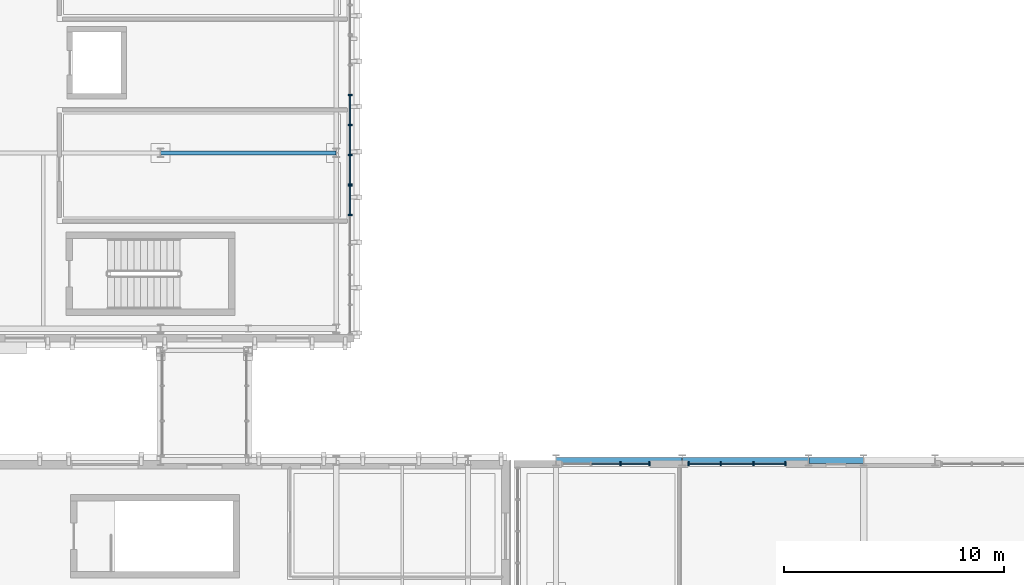
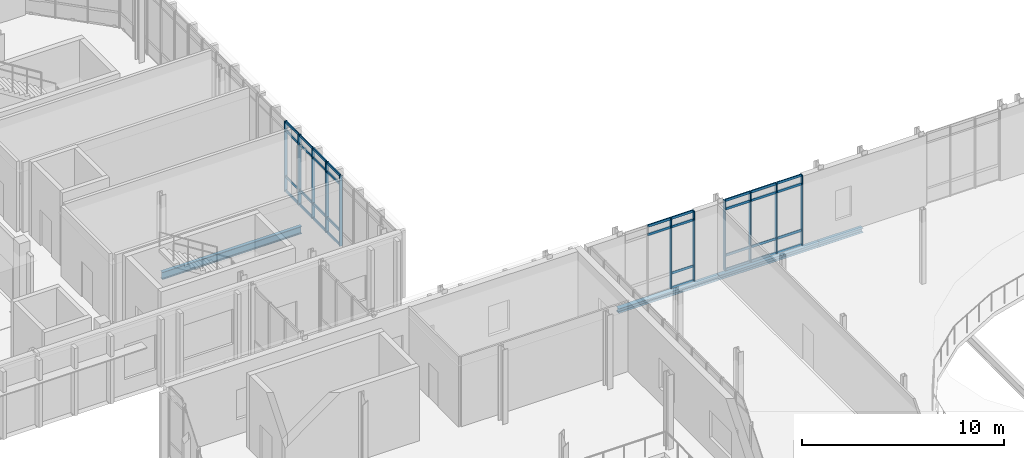
# One storey, part 25 of 100: 46 members, 4 beams, 4 elements without a shape of their own.
"""IFC4 building model written with IfcOpenShell, lengths in metres."""

from ifc_helpers import new_model, si_unit, direction, frame, origin, origin_2d, place, context, subcontext, project, spatial, rectangle, i_section, extrude, material, material_profile, profile_set, type_object, element, aggregate, save


model = new_model("IFC4")

# Units and contexts
model_context = context("Model", 3, precision=1e-05, world=origin(), true_north=direction((0.0, 1.0)))
body_context = subcontext(model_context, "Body", "Model", "MODEL_VIEW")
ifc_project = project(units=[si_unit("LENGTHUNIT", "METRE"), si_unit("AREAUNIT", "SQUARE_METRE"), si_unit("VOLUMEUNIT", "CUBIC_METRE"), si_unit("PLANEANGLEUNIT", "RADIAN"), si_unit("MASSUNIT", "GRAM", prefix="KILO")], contexts=[model_context])

# Site, building, storey
site_placement = place(None, origin())
site = spatial("IfcSite", under=ifc_project, at=site_placement, CompositionType="ELEMENT")
building_placement = place(site_placement, origin())
building = spatial("IfcBuilding", under=site, at=building_placement, Name="Cymarion Research Institute", CompositionType="ELEMENT")
storey_placement = place(building_placement, frame((0.0, 0.0, 9.300048828125)))
storey = spatial("IfcBuildingStorey", under=building, at=storey_placement, Name="L02", CompositionType="ELEMENT", Elevation=9.300048828125)

# Curtain wall, members
ifc_material_1 = material(Name="Anodised aluminium unitised curtain wall with Low-E glazing", Category="aluminium")
curtain_wall_type_1 = type_object("IfcCurtainWallType", Name="UNITISED CURTAIN WALL CW12 4460X4250", PredefinedType="NOTDEFINED", material=ifc_material_1)
curtain_wall_1_placement = place(storey_placement, origin())
curtain_wall_1 = element("IfcCurtainWall", 1, at=curtain_wall_1_placement, inside=storey, type_object=curtain_wall_type_1, Name="L02 V2 unitised curtain wall CW12 #86", PredefinedType="NOTDEFINED")
ifc_material_2 = material(Name="Anodised aluminium framing", Category="aluminium")
ifc_material_profile_1 = material_profile(ifc_material_2, rectangle(XDim=0.06005859375, YDim=0.179931640625, at=origin_2d()), Name="ALU MULLION 60x180")
ifc_profile_set_1 = profile_set([ifc_material_profile_1], Name="Anodised aluminium framing")
member_type_1 = type_object("IfcMemberType", Name="CURTAIN WALL MULLION ML01 60X180", PredefinedType="MULLION", material=ifc_profile_set_1)
member_1_placement = place(storey_placement, frame((67.04443359375, 41.340087890625, 0.0), z_axis=(0.0, 0.0, 1.0), x_axis=(-1.0, 0.0, 0.0)))
member_1 = element("IfcMember", 2, at=member_1_placement, type_object=member_type_1, Name="CW12 mullion 1", PredefinedType="MULLION", context=body_context, shape_type="SweptSolid", body=[
    extrude(rectangle(XDim=0.06005859375, YDim=0.179931640625, at=origin_2d()), origin(), (0.0, 0.0, 1.0), 4.25),
])
member_2_placement = place(storey_placement, frame((65.58642578125, 41.340087890625, 0.0), z_axis=(0.0, 0.0, 1.0), x_axis=(-1.0, 0.0, 0.0)))
member_2 = element("IfcMember", 3, at=member_2_placement, type_object=member_type_1, Name="CW12 mullion 2", PredefinedType="MULLION", context=body_context, shape_type="SweptSolid", body=[
    extrude(rectangle(XDim=0.06005859375, YDim=0.179931640625, at=origin_2d()), origin(), (0.0, 0.0, 1.0), 4.25),
])
member_3_placement = place(storey_placement, frame((64.09814453125, 41.340087890625, 0.0), z_axis=(0.0, 0.0, 1.0), x_axis=(-1.0, 0.0, 0.0)))
member_3 = element("IfcMember", 4, at=member_3_placement, type_object=member_type_1, Name="CW12 mullion 3", PredefinedType="MULLION", context=body_context, shape_type="SweptSolid", body=[
    extrude(rectangle(XDim=0.06005859375, YDim=0.179931640625, at=origin_2d()), origin(), (0.0, 0.0, 1.0), 4.25),
])
member_4_placement = place(storey_placement, frame((62.639892578125, 41.340087890625, 0.0), z_axis=(0.0, 0.0, 1.0), x_axis=(-1.0, 0.0, 0.0)))
member_4 = element("IfcMember", 5, at=member_4_placement, type_object=member_type_1, Name="CW12 mullion 4", PredefinedType="MULLION", context=body_context, shape_type="SweptSolid", body=[
    extrude(rectangle(XDim=0.06005859375, YDim=0.179931640625, at=origin_2d()), origin(), (0.0, 0.0, 1.0), 4.25),
])

curtain_wall_type_2 = type_object("IfcCurtainWallType", Name="UNITISED CURTAIN WALL CW13 4030X4250", PredefinedType="NOTDEFINED", material=ifc_material_1)
curtain_wall_2_placement = place(storey_placement, origin())
curtain_wall_2 = element("IfcCurtainWall", 6, at=curtain_wall_2_placement, inside=storey, type_object=curtain_wall_type_2, Name="L02 V2 unitised curtain wall CW13 #87", PredefinedType="NOTDEFINED")
member_5_placement = place(storey_placement, frame((60.857421875, 41.340087890625, 0.0), z_axis=(0.0, 0.0, 1.0), x_axis=(-1.0, 0.0, 0.0)))
member_5 = element("IfcMember", 7, at=member_5_placement, type_object=member_type_1, Name="CW13 mullion 1", PredefinedType="MULLION", context=body_context, shape_type="SweptSolid", body=[
    extrude(rectangle(XDim=0.06005859375, YDim=0.179931640625, at=origin_2d()), origin(), (0.0, 0.0, 1.0), 4.25),
])
member_6_placement = place(storey_placement, frame((59.544921875, 41.340087890625, 0.0), z_axis=(0.0, 0.0, 1.0), x_axis=(-1.0, 0.0, 0.0)))
member_6 = element("IfcMember", 8, at=member_6_placement, type_object=member_type_1, Name="CW13 mullion 2", PredefinedType="MULLION", context=body_context, shape_type="SweptSolid", body=[
    extrude(rectangle(XDim=0.06005859375, YDim=0.179931640625, at=origin_2d()), origin(), (0.0, 0.0, 1.0), 4.25),
])

curtain_wall_type_3 = type_object("IfcCurtainWallType", Name="UNITISED CURTAIN WALL CW20 6820X4250", PredefinedType="NOTDEFINED", material=ifc_material_1)
curtain_wall_3_placement = place(storey_placement, origin())
curtain_wall_3 = element("IfcCurtainWall", 9, at=curtain_wall_3_placement, inside=storey, type_object=curtain_wall_type_3, Name="L02 V4 unitised curtain wall CW20 #98", PredefinedType="NOTDEFINED")
member_7_placement = place(storey_placement, frame((47.22998046875, 52.677490234375, 0.0), z_axis=(0.0, 0.0, 1.0), x_axis=(0.0, 1.0, 0.0)))
member_7 = element("IfcMember", 10, at=member_7_placement, type_object=member_type_1, Name="CW20 mullion 5", PredefinedType="MULLION", context=body_context, shape_type="SweptSolid", body=[
    extrude(rectangle(XDim=0.06005859375, YDim=0.179931640625, at=origin_2d()), origin(), (0.0, 0.0, 1.0), 4.25),
])
member_8_placement = place(storey_placement, frame((47.22998046875, 54.011474609375, 0.0), z_axis=(0.0, 0.0, 1.0), x_axis=(0.0, 1.0, 0.0)))
member_8 = element("IfcMember", 11, at=member_8_placement, type_object=member_type_1, Name="CW20 mullion 6", PredefinedType="MULLION", context=body_context, shape_type="SweptSolid", body=[
    extrude(rectangle(XDim=0.06005859375, YDim=0.179931640625, at=origin_2d()), origin(), (0.0, 0.0, 1.0), 4.25),
])

curtain_wall_4_placement = place(storey_placement, origin())
curtain_wall_4 = element("IfcCurtainWall", 12, at=curtain_wall_4_placement, inside=storey, type_object=curtain_wall_type_3, Name="L02 V4 unitised curtain wall CW20 #99", PredefinedType="NOTDEFINED")
member_9_placement = place(storey_placement, frame((47.22998046875, 54.071533203125, 0.0), z_axis=(0.0, 0.0, 1.0), x_axis=(0.0, 1.0, 0.0)))
member_9 = element("IfcMember", 13, at=member_9_placement, type_object=member_type_1, Name="CW20 mullion 1", PredefinedType="MULLION", context=body_context, shape_type="SweptSolid", body=[
    extrude(rectangle(XDim=0.06005859375, YDim=0.179931640625, at=origin_2d()), origin(), (0.0, 0.0, 1.0), 4.25),
])
member_10_placement = place(storey_placement, frame((47.22998046875, 55.405517578125, 0.0), z_axis=(0.0, 0.0, 1.0), x_axis=(0.0, 1.0, 0.0)))
member_10 = element("IfcMember", 14, at=member_10_placement, type_object=member_type_1, Name="CW20 mullion 2", PredefinedType="MULLION", context=body_context, shape_type="SweptSolid", body=[
    extrude(rectangle(XDim=0.06005859375, YDim=0.179931640625, at=origin_2d()), origin(), (0.0, 0.0, 1.0), 4.25),
])
member_11_placement = place(storey_placement, frame((47.22998046875, 56.769287109375, 0.0), z_axis=(0.0, 0.0, 1.0), x_axis=(0.0, 1.0, 0.0)))
member_11 = element("IfcMember", 15, at=member_11_placement, type_object=member_type_1, Name="CW20 mullion 3", PredefinedType="MULLION", context=body_context, shape_type="SweptSolid", body=[
    extrude(rectangle(XDim=0.06005859375, YDim=0.179931640625, at=origin_2d()), origin(), (0.0, 0.0, 1.0), 4.25),
])
member_12_placement = place(storey_placement, frame((47.22998046875, 58.13330078125, 0.0), z_axis=(0.0, 0.0, 1.0), x_axis=(0.0, 1.0, 0.0)))
member_12 = element("IfcMember", 16, at=member_12_placement, type_object=member_type_1, Name="CW20 mullion 4", PredefinedType="MULLION", context=body_context, shape_type="SweptSolid", body=[
    extrude(rectangle(XDim=0.06005859375, YDim=0.179931640625, at=origin_2d()), origin(), (0.0, 0.0, 1.0), 4.25),
])

# Member
ifc_material_profile_2 = material_profile(ifc_material_2, rectangle(XDim=0.06005859375, YDim=0.14990234375, at=origin_2d()), Name="ALU TRANSOM 60x150")
ifc_profile_set_2 = profile_set([ifc_material_profile_2], Name="Anodised aluminium framing")
member_type_2 = type_object("IfcMemberType", Name="CURTAIN WALL TRANSOM TR01 60X150", PredefinedType="USERDEFINED", material=ifc_profile_set_2)
member_13_placement = place(storey_placement, frame((67.014404296875, 41.340087890625, 0.030029296875), z_axis=(-1.0, 0.0, 0.0), x_axis=(0.0, -1.0, 0.0)))
member_13 = element("IfcMember", 17, at=member_13_placement, type_object=member_type_2, Name="CW12 transom 1.1", ObjectType="TRANSOM", PredefinedType="USERDEFINED", context=body_context, shape_type="SweptSolid", body=[
    extrude(rectangle(XDim=0.06005859375, YDim=0.14990234375, at=origin_2d()), origin(), (0.0, 0.0, 1.0), 1.39794921875),
])

member_14_placement = place(storey_placement, frame((67.014404296875, 41.340087890625, 0.89990234375), z_axis=(-1.0, 0.0, 0.0), x_axis=(0.0, -1.0, 0.0)))
member_14 = element("IfcMember", 18, at=member_14_placement, type_object=member_type_2, Name="CW12 transom 1.2", ObjectType="TRANSOM", PredefinedType="USERDEFINED", context=body_context, shape_type="SweptSolid", body=[
    extrude(rectangle(XDim=0.06005859375, YDim=0.14990234375, at=origin_2d()), origin(), (0.0, 0.0, 1.0), 1.39794921875),
])

member_15_placement = place(storey_placement, frame((67.014404296875, 41.340087890625, 3.699951171875), z_axis=(-1.0, 0.0, 0.0), x_axis=(0.0, -1.0, 0.0)))
member_15 = element("IfcMember", 19, at=member_15_placement, type_object=member_type_2, Name="CW12 transom 1.3", ObjectType="TRANSOM", PredefinedType="USERDEFINED", context=body_context, shape_type="SweptSolid", body=[
    extrude(rectangle(XDim=0.06005859375, YDim=0.14990234375, at=origin_2d()), origin(), (0.0, 0.0, 1.0), 1.39794921875),
])

member_16_placement = place(storey_placement, frame((67.014404296875, 41.340087890625, 4.219970703125), z_axis=(-1.0, 0.0, 0.0), x_axis=(0.0, -1.0, 0.0)))
member_16 = element("IfcMember", 20, at=member_16_placement, type_object=member_type_2, Name="CW12 transom 1.4", ObjectType="TRANSOM", PredefinedType="USERDEFINED", context=body_context, shape_type="SweptSolid", body=[
    extrude(rectangle(XDim=0.06005859375, YDim=0.14990234375, at=origin_2d()), origin(), (0.0, 0.0, 1.0), 1.39794921875),
])

member_17_placement = place(storey_placement, frame((65.556396484375, 41.340087890625, 0.030029296875), z_axis=(-1.0, 0.0, 0.0), x_axis=(0.0, -1.0, 0.0)))
member_17 = element("IfcMember", 21, at=member_17_placement, type_object=member_type_2, Name="CW12 transom 2.1", ObjectType="TRANSOM", PredefinedType="USERDEFINED", context=body_context, shape_type="SweptSolid", body=[
    extrude(rectangle(XDim=0.06005859375, YDim=0.14990234375, at=origin_2d()), origin(), (0.0, 0.0, 1.0), 1.42822265625),
])

member_18_placement = place(storey_placement, frame((65.556396484375, 41.340087890625, 0.89990234375), z_axis=(-1.0, 0.0, 0.0), x_axis=(0.0, -1.0, 0.0)))
member_18 = element("IfcMember", 22, at=member_18_placement, type_object=member_type_2, Name="CW12 transom 2.2", ObjectType="TRANSOM", PredefinedType="USERDEFINED", context=body_context, shape_type="SweptSolid", body=[
    extrude(rectangle(XDim=0.06005859375, YDim=0.14990234375, at=origin_2d()), origin(), (0.0, 0.0, 1.0), 1.42822265625),
])

member_19_placement = place(storey_placement, frame((65.556396484375, 41.340087890625, 3.699951171875), z_axis=(-1.0, 0.0, 0.0), x_axis=(0.0, -1.0, 0.0)))
member_19 = element("IfcMember", 23, at=member_19_placement, type_object=member_type_2, Name="CW12 transom 2.3", ObjectType="TRANSOM", PredefinedType="USERDEFINED", context=body_context, shape_type="SweptSolid", body=[
    extrude(rectangle(XDim=0.06005859375, YDim=0.14990234375, at=origin_2d()), origin(), (0.0, 0.0, 1.0), 1.42822265625),
])

member_20_placement = place(storey_placement, frame((65.556396484375, 41.340087890625, 4.219970703125), z_axis=(-1.0, 0.0, 0.0), x_axis=(0.0, -1.0, 0.0)))
member_20 = element("IfcMember", 24, at=member_20_placement, type_object=member_type_2, Name="CW12 transom 2.4", ObjectType="TRANSOM", PredefinedType="USERDEFINED", context=body_context, shape_type="SweptSolid", body=[
    extrude(rectangle(XDim=0.06005859375, YDim=0.14990234375, at=origin_2d()), origin(), (0.0, 0.0, 1.0), 1.42822265625),
])

member_21_placement = place(storey_placement, frame((64.068115234375, 41.340087890625, 0.030029296875), z_axis=(-1.0, 0.0, 0.0), x_axis=(0.0, -1.0, 0.0)))
member_21 = element("IfcMember", 25, at=member_21_placement, type_object=member_type_2, Name="CW12 transom 3.1", ObjectType="TRANSOM", PredefinedType="USERDEFINED", context=body_context, shape_type="SweptSolid", body=[
    extrude(rectangle(XDim=0.06005859375, YDim=0.14990234375, at=origin_2d()), origin(), (0.0, 0.0, 1.0), 1.398193359375),
])

member_22_placement = place(storey_placement, frame((64.068115234375, 41.340087890625, 0.89990234375), z_axis=(-1.0, 0.0, 0.0), x_axis=(0.0, -1.0, 0.0)))
member_22 = element("IfcMember", 26, at=member_22_placement, type_object=member_type_2, Name="CW12 transom 3.2", ObjectType="TRANSOM", PredefinedType="USERDEFINED", context=body_context, shape_type="SweptSolid", body=[
    extrude(rectangle(XDim=0.06005859375, YDim=0.14990234375, at=origin_2d()), origin(), (0.0, 0.0, 1.0), 1.398193359375),
])

member_23_placement = place(storey_placement, frame((64.068115234375, 41.340087890625, 3.699951171875), z_axis=(-1.0, 0.0, 0.0), x_axis=(0.0, -1.0, 0.0)))
member_23 = element("IfcMember", 27, at=member_23_placement, type_object=member_type_2, Name="CW12 transom 3.3", ObjectType="TRANSOM", PredefinedType="USERDEFINED", context=body_context, shape_type="SweptSolid", body=[
    extrude(rectangle(XDim=0.06005859375, YDim=0.14990234375, at=origin_2d()), origin(), (0.0, 0.0, 1.0), 1.398193359375),
])

member_24_placement = place(storey_placement, frame((64.068115234375, 41.340087890625, 4.219970703125), z_axis=(-1.0, 0.0, 0.0), x_axis=(0.0, -1.0, 0.0)))
member_24 = element("IfcMember", 28, at=member_24_placement, type_object=member_type_2, Name="CW12 transom 3.4", ObjectType="TRANSOM", PredefinedType="USERDEFINED", context=body_context, shape_type="SweptSolid", body=[
    extrude(rectangle(XDim=0.06005859375, YDim=0.14990234375, at=origin_2d()), origin(), (0.0, 0.0, 1.0), 1.398193359375),
])

aggregate(curtain_wall_1, [member_1, member_2, member_3, member_4, member_13, member_14, member_15, member_16, member_17, member_18, member_19, member_20, member_21, member_22, member_23, member_24])

member_25_placement = place(storey_placement, frame((60.827392578125, 41.340087890625, 0.030029296875), z_axis=(-1.0, 0.0, 0.0), x_axis=(0.0, -1.0, 0.0)))
member_25 = element("IfcMember", 29, at=member_25_placement, type_object=member_type_2, Name="CW13 transom 1.1", ObjectType="TRANSOM", PredefinedType="USERDEFINED", context=body_context, shape_type="SweptSolid", body=[
    extrude(rectangle(XDim=0.06005859375, YDim=0.14990234375, at=origin_2d()), origin(), (0.0, 0.0, 1.0), 1.25244140625),
])

member_26_placement = place(storey_placement, frame((60.827392578125, 41.340087890625, 0.89990234375), z_axis=(-1.0, 0.0, 0.0), x_axis=(0.0, -1.0, 0.0)))
member_26 = element("IfcMember", 30, at=member_26_placement, type_object=member_type_2, Name="CW13 transom 1.2", ObjectType="TRANSOM", PredefinedType="USERDEFINED", context=body_context, shape_type="SweptSolid", body=[
    extrude(rectangle(XDim=0.06005859375, YDim=0.14990234375, at=origin_2d()), origin(), (0.0, 0.0, 1.0), 1.25244140625),
])

member_27_placement = place(storey_placement, frame((60.827392578125, 41.340087890625, 3.699951171875), z_axis=(-1.0, 0.0, 0.0), x_axis=(0.0, -1.0, 0.0)))
member_27 = element("IfcMember", 31, at=member_27_placement, type_object=member_type_2, Name="CW13 transom 1.3", ObjectType="TRANSOM", PredefinedType="USERDEFINED", context=body_context, shape_type="SweptSolid", body=[
    extrude(rectangle(XDim=0.06005859375, YDim=0.14990234375, at=origin_2d()), origin(), (0.0, 0.0, 1.0), 1.25244140625),
])

member_28_placement = place(storey_placement, frame((60.827392578125, 41.340087890625, 4.219970703125), z_axis=(-1.0, 0.0, 0.0), x_axis=(0.0, -1.0, 0.0)))
member_28 = element("IfcMember", 32, at=member_28_placement, type_object=member_type_2, Name="CW13 transom 1.4", ObjectType="TRANSOM", PredefinedType="USERDEFINED", context=body_context, shape_type="SweptSolid", body=[
    extrude(rectangle(XDim=0.06005859375, YDim=0.14990234375, at=origin_2d()), origin(), (0.0, 0.0, 1.0), 1.25244140625),
])

member_29_placement = place(storey_placement, frame((59.514892578125, 41.340087890625, 3.699951171875), z_axis=(-1.0, 0.0, 0.0), x_axis=(0.0, -1.0, 0.0)))
member_29 = element("IfcMember", 33, at=member_29_placement, type_object=member_type_2, Name="CW13 transom 2.3", ObjectType="TRANSOM", PredefinedType="USERDEFINED", context=body_context, shape_type="SweptSolid", body=[
    extrude(rectangle(XDim=0.06005859375, YDim=0.14990234375, at=origin_2d()), origin(), (0.0, 0.0, 1.0), 1.282470703125),
])

member_30_placement = place(storey_placement, frame((59.514892578125, 41.340087890625, 4.219970703125), z_axis=(-1.0, 0.0, 0.0), x_axis=(0.0, -1.0, 0.0)))
member_30 = element("IfcMember", 34, at=member_30_placement, type_object=member_type_2, Name="CW13 transom 2.4", ObjectType="TRANSOM", PredefinedType="USERDEFINED", context=body_context, shape_type="SweptSolid", body=[
    extrude(rectangle(XDim=0.06005859375, YDim=0.14990234375, at=origin_2d()), origin(), (0.0, 0.0, 1.0), 1.282470703125),
])

aggregate(curtain_wall_2, [member_5, member_6, member_25, member_26, member_27, member_28, member_29, member_30])

member_31_placement = place(storey_placement, frame((47.22998046875, 52.70751953125, 0.030029296875), z_axis=(0.0, 1.0, 0.0), x_axis=(-1.0, 0.0, 0.0)))
member_31 = element("IfcMember", 35, at=member_31_placement, type_object=member_type_2, Name="CW20 transom 5.1", ObjectType="TRANSOM", PredefinedType="USERDEFINED", context=body_context, shape_type="SweptSolid", body=[
    extrude(rectangle(XDim=0.06005859375, YDim=0.14990234375, at=origin_2d()), origin(), (0.0, 0.0, 1.0), 1.27392578125),
])

member_32_placement = place(storey_placement, frame((47.22998046875, 52.70751953125, 0.89990234375), z_axis=(0.0, 1.0, 0.0), x_axis=(-1.0, 0.0, 0.0)))
member_32 = element("IfcMember", 36, at=member_32_placement, type_object=member_type_2, Name="CW20 transom 5.2", ObjectType="TRANSOM", PredefinedType="USERDEFINED", context=body_context, shape_type="SweptSolid", body=[
    extrude(rectangle(XDim=0.06005859375, YDim=0.14990234375, at=origin_2d()), origin(), (0.0, 0.0, 1.0), 1.27392578125),
])

member_33_placement = place(storey_placement, frame((47.22998046875, 52.70751953125, 3.699951171875), z_axis=(0.0, 1.0, 0.0), x_axis=(-1.0, 0.0, 0.0)))
member_33 = element("IfcMember", 37, at=member_33_placement, type_object=member_type_2, Name="CW20 transom 5.3", ObjectType="TRANSOM", PredefinedType="USERDEFINED", context=body_context, shape_type="SweptSolid", body=[
    extrude(rectangle(XDim=0.06005859375, YDim=0.14990234375, at=origin_2d()), origin(), (0.0, 0.0, 1.0), 1.27392578125),
])

member_34_placement = place(storey_placement, frame((47.22998046875, 52.70751953125, 4.219970703125), z_axis=(0.0, 1.0, 0.0), x_axis=(-1.0, 0.0, 0.0)))
member_34 = element("IfcMember", 38, at=member_34_placement, type_object=member_type_2, Name="CW20 transom 5.4", ObjectType="TRANSOM", PredefinedType="USERDEFINED", context=body_context, shape_type="SweptSolid", body=[
    extrude(rectangle(XDim=0.06005859375, YDim=0.14990234375, at=origin_2d()), origin(), (0.0, 0.0, 1.0), 1.27392578125),
])

aggregate(curtain_wall_3, [member_7, member_8, member_31, member_32, member_33, member_34])

member_35_placement = place(storey_placement, frame((47.22998046875, 54.1015625, 0.030029296875), z_axis=(0.0, 1.0, 0.0), x_axis=(-1.0, 0.0, 0.0)))
member_35 = element("IfcMember", 39, at=member_35_placement, type_object=member_type_2, Name="CW20 transom 1.1", ObjectType="TRANSOM", PredefinedType="USERDEFINED", context=body_context, shape_type="SweptSolid", body=[
    extrude(rectangle(XDim=0.06005859375, YDim=0.14990234375, at=origin_2d()), origin(), (0.0, 0.0, 1.0), 1.27392578125),
])

member_36_placement = place(storey_placement, frame((47.22998046875, 54.1015625, 0.89990234375), z_axis=(0.0, 1.0, 0.0), x_axis=(-1.0, 0.0, 0.0)))
member_36 = element("IfcMember", 40, at=member_36_placement, type_object=member_type_2, Name="CW20 transom 1.2", ObjectType="TRANSOM", PredefinedType="USERDEFINED", context=body_context, shape_type="SweptSolid", body=[
    extrude(rectangle(XDim=0.06005859375, YDim=0.14990234375, at=origin_2d()), origin(), (0.0, 0.0, 1.0), 1.27392578125),
])

member_37_placement = place(storey_placement, frame((47.22998046875, 54.1015625, 3.699951171875), z_axis=(0.0, 1.0, 0.0), x_axis=(-1.0, 0.0, 0.0)))
member_37 = element("IfcMember", 41, at=member_37_placement, type_object=member_type_2, Name="CW20 transom 1.3", ObjectType="TRANSOM", PredefinedType="USERDEFINED", context=body_context, shape_type="SweptSolid", body=[
    extrude(rectangle(XDim=0.06005859375, YDim=0.14990234375, at=origin_2d()), origin(), (0.0, 0.0, 1.0), 1.27392578125),
])

member_38_placement = place(storey_placement, frame((47.22998046875, 54.1015625, 4.219970703125), z_axis=(0.0, 1.0, 0.0), x_axis=(-1.0, 0.0, 0.0)))
member_38 = element("IfcMember", 42, at=member_38_placement, type_object=member_type_2, Name="CW20 transom 1.4", ObjectType="TRANSOM", PredefinedType="USERDEFINED", context=body_context, shape_type="SweptSolid", body=[
    extrude(rectangle(XDim=0.06005859375, YDim=0.14990234375, at=origin_2d()), origin(), (0.0, 0.0, 1.0), 1.27392578125),
])

member_39_placement = place(storey_placement, frame((47.22998046875, 55.435302734375, 0.030029296875), z_axis=(0.0, 1.0, 0.0), x_axis=(-1.0, 0.0, 0.0)))
member_39 = element("IfcMember", 43, at=member_39_placement, type_object=member_type_2, Name="CW20 transom 2.1", ObjectType="TRANSOM", PredefinedType="USERDEFINED", context=body_context, shape_type="SweptSolid", body=[
    extrude(rectangle(XDim=0.06005859375, YDim=0.14990234375, at=origin_2d()), origin(), (0.0, 0.0, 1.0), 1.303955078125),
])

member_40_placement = place(storey_placement, frame((47.22998046875, 55.435302734375, 0.89990234375), z_axis=(0.0, 1.0, 0.0), x_axis=(-1.0, 0.0, 0.0)))
member_40 = element("IfcMember", 44, at=member_40_placement, type_object=member_type_2, Name="CW20 transom 2.2", ObjectType="TRANSOM", PredefinedType="USERDEFINED", context=body_context, shape_type="SweptSolid", body=[
    extrude(rectangle(XDim=0.06005859375, YDim=0.14990234375, at=origin_2d()), origin(), (0.0, 0.0, 1.0), 1.303955078125),
])

member_41_placement = place(storey_placement, frame((47.22998046875, 55.435302734375, 3.699951171875), z_axis=(0.0, 1.0, 0.0), x_axis=(-1.0, 0.0, 0.0)))
member_41 = element("IfcMember", 45, at=member_41_placement, type_object=member_type_2, Name="CW20 transom 2.3", ObjectType="TRANSOM", PredefinedType="USERDEFINED", context=body_context, shape_type="SweptSolid", body=[
    extrude(rectangle(XDim=0.06005859375, YDim=0.14990234375, at=origin_2d()), origin(), (0.0, 0.0, 1.0), 1.303955078125),
])

member_42_placement = place(storey_placement, frame((47.22998046875, 55.435302734375, 4.219970703125), z_axis=(0.0, 1.0, 0.0), x_axis=(-1.0, 0.0, 0.0)))
member_42 = element("IfcMember", 46, at=member_42_placement, type_object=member_type_2, Name="CW20 transom 2.4", ObjectType="TRANSOM", PredefinedType="USERDEFINED", context=body_context, shape_type="SweptSolid", body=[
    extrude(rectangle(XDim=0.06005859375, YDim=0.14990234375, at=origin_2d()), origin(), (0.0, 0.0, 1.0), 1.303955078125),
])

member_43_placement = place(storey_placement, frame((47.22998046875, 56.79931640625, 0.030029296875), z_axis=(0.0, 1.0, 0.0), x_axis=(-1.0, 0.0, 0.0)))
member_43 = element("IfcMember", 47, at=member_43_placement, type_object=member_type_2, Name="CW20 transom 3.1", ObjectType="TRANSOM", PredefinedType="USERDEFINED", context=body_context, shape_type="SweptSolid", body=[
    extrude(rectangle(XDim=0.06005859375, YDim=0.14990234375, at=origin_2d()), origin(), (0.0, 0.0, 1.0), 1.303955078125),
])

member_44_placement = place(storey_placement, frame((47.22998046875, 56.79931640625, 0.89990234375), z_axis=(0.0, 1.0, 0.0), x_axis=(-1.0, 0.0, 0.0)))
member_44 = element("IfcMember", 48, at=member_44_placement, type_object=member_type_2, Name="CW20 transom 3.2", ObjectType="TRANSOM", PredefinedType="USERDEFINED", context=body_context, shape_type="SweptSolid", body=[
    extrude(rectangle(XDim=0.06005859375, YDim=0.14990234375, at=origin_2d()), origin(), (0.0, 0.0, 1.0), 1.303955078125),
])

member_45_placement = place(storey_placement, frame((47.22998046875, 56.79931640625, 3.699951171875), z_axis=(0.0, 1.0, 0.0), x_axis=(-1.0, 0.0, 0.0)))
member_45 = element("IfcMember", 49, at=member_45_placement, type_object=member_type_2, Name="CW20 transom 3.3", ObjectType="TRANSOM", PredefinedType="USERDEFINED", context=body_context, shape_type="SweptSolid", body=[
    extrude(rectangle(XDim=0.06005859375, YDim=0.14990234375, at=origin_2d()), origin(), (0.0, 0.0, 1.0), 1.303955078125),
])

member_46_placement = place(storey_placement, frame((47.22998046875, 56.79931640625, 4.219970703125), z_axis=(0.0, 1.0, 0.0), x_axis=(-1.0, 0.0, 0.0)))
member_46 = element("IfcMember", 50, at=member_46_placement, type_object=member_type_2, Name="CW20 transom 3.4", ObjectType="TRANSOM", PredefinedType="USERDEFINED", context=body_context, shape_type="SweptSolid", body=[
    extrude(rectangle(XDim=0.06005859375, YDim=0.14990234375, at=origin_2d()), origin(), (0.0, 0.0, 1.0), 1.303955078125),
])

aggregate(curtain_wall_4, [member_9, member_10, member_11, member_12, member_35, member_36, member_37, member_38, member_39, member_40, member_41, member_42, member_43, member_44, member_45, member_46])

# Beams
ifc_material_3 = material(Name="Steel S355", Category="steel")
ifc_material_profile_3 = material_profile(ifc_material_3, i_section(OverallWidth=0.18994140625, OverallDepth=0.449951171875, WebThickness=0.009521484375, FlangeThickness=0.0146484375, FilletRadius=0.02099609375, at=origin_2d()), Name="IPE 450")
ifc_profile_set_3 = profile_set([ifc_material_profile_3], Name="Steel S355")
beam_type_1 = type_object("IfcBeamType", Name="PRIMARY GIRDER BM04 IPE 450", PredefinedType="BEAM", material=ifc_profile_set_3)
beam_1_placement = place(storey_placement, frame((38.60595703125, 55.5, -0.47509765625), z_axis=(1.0, 0.0, 0.0), x_axis=(0.0, 1.0, 0.0)))
element("IfcBeam", 51, at=beam_1_placement, inside=storey, type_object=beam_type_1, Name="L02 V4 girder BM04 #1038", PredefinedType="BEAM", context=body_context, shape_type="SweptSolid", body=[
    extrude(i_section(OverallWidth=0.18994140625, OverallDepth=0.449951171875, WebThickness=0.009521484375, FlangeThickness=0.0146484375, FilletRadius=0.02099609375, at=origin_2d()), origin(), (0.0, 0.0, 1.0), 7.988037109375),
])
ifc_material_profile_4 = material_profile(ifc_material_3, i_section(OverallWidth=0.280029296875, OverallDepth=0.27001953125, WebThickness=0.008056640625, FlangeThickness=0.012939453125, FilletRadius=0.02392578125, at=origin_2d()), Name="HEA 280")
ifc_profile_set_4 = profile_set([ifc_material_profile_4], Name="Steel S355")
beam_type_2 = type_object("IfcBeamType", Name="SPANDREL BEAM SPB02 HEA 280", PredefinedType="SPANDREL", material=ifc_profile_set_4)
for number, where, z_axis, x_axis, name in (
    (52, (56.60595703125, 41.5, -0.385009765625), (1.0, 0.0, 0.0), (0.0, 1.0, 0.0), "L02 V2 girder SPB02 #895"),
    (53, (62.35595703125, 41.5, -0.385009765625), (1.0, 0.0, 0.0), (0.0, 1.0, 0.0), "L02 V2 girder SPB02 #896"),
):
    element("IfcBeam", number, at=place(storey_placement, frame(where, z_axis=z_axis, x_axis=x_axis)), inside=storey, type_object=beam_type_2, Name=name, PredefinedType="SPANDREL", context=body_context, shape_type="SweptSolid", body=[
        extrude(i_section(OverallWidth=0.280029296875, OverallDepth=0.27001953125, WebThickness=0.008056640625, FlangeThickness=0.012939453125, FilletRadius=0.02392578125, at=origin_2d()), origin(), (0.0, 0.0, 1.0), 5.738037109375),
    ])
beam_2_placement = place(storey_placement, frame((68.10595703125, 41.5, -0.385009765625), z_axis=(1.0, 0.0, 0.0), x_axis=(0.0, 1.0, 0.0)))
element("IfcBeam", 54, at=beam_2_placement, inside=storey, type_object=beam_type_2, Name="L02 V2 girder SPB02 #897", PredefinedType="SPANDREL", context=body_context, shape_type="SweptSolid", body=[
    extrude(i_section(OverallWidth=0.280029296875, OverallDepth=0.27001953125, WebThickness=0.008056640625, FlangeThickness=0.012939453125, FilletRadius=0.02392578125, at=origin_2d()), origin(), (0.0, 0.0, 1.0), 2.488037109375),
])

save(model, "model.ifc")
